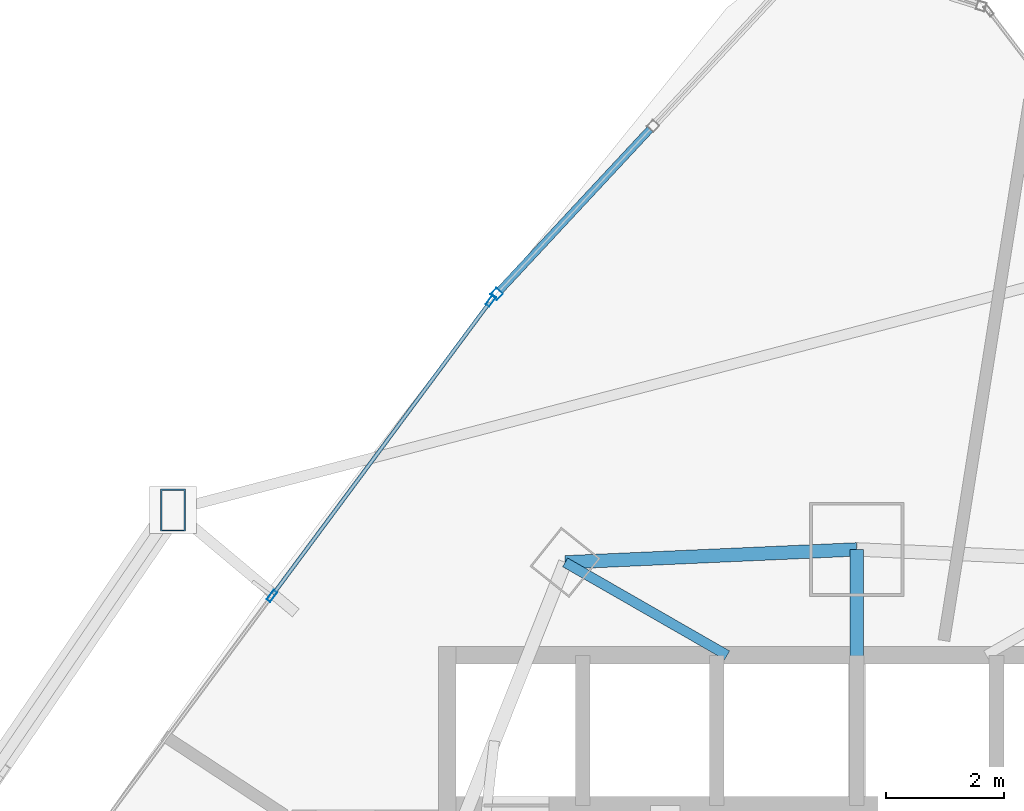
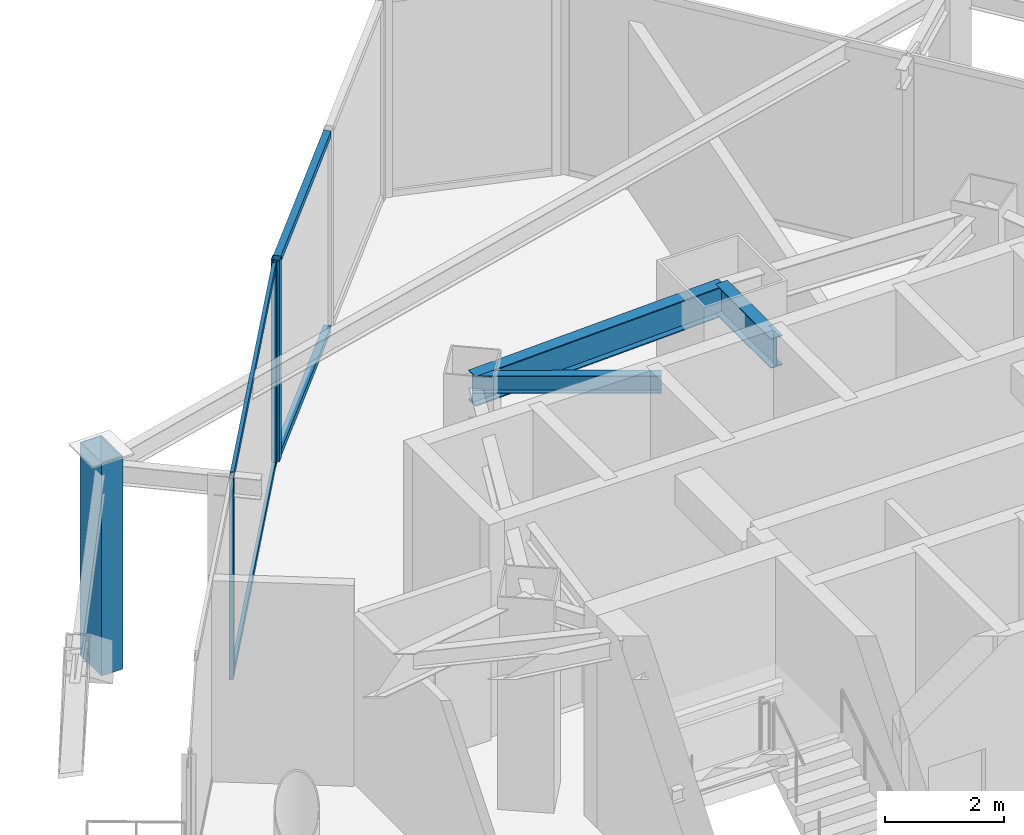
# One storey, part 21 of 33: 8 members, 3 beams, 2 elements without a shape of their own.
"""IFC4 building model written with IfcOpenShell, lengths in metres."""

from ifc_helpers import new_model, si_unit, direction, frame, origin, origin_2d, place, context, subcontext, project, spatial, hollow_rectangle, i_section, extrude, material, layer, layer_set, material_profile, profile_set, type_object, element, aggregate, save


model = new_model("IFC4")

# Units and contexts
model_context = context("Model", 3, precision=1e-05, world=origin(), true_north=direction((0.0, 1.0)))
body_context = subcontext(model_context, "Body", "Model", "MODEL_VIEW")
ifc_project = project(units=[si_unit("LENGTHUNIT", "METRE"), si_unit("AREAUNIT", "SQUARE_METRE"), si_unit("VOLUMEUNIT", "CUBIC_METRE"), si_unit("PLANEANGLEUNIT", "RADIAN"), si_unit("MASSUNIT", "GRAM", prefix="KILO")], contexts=[model_context])

# Site, building, storey
site_placement = place(None, origin())
site = spatial("IfcSite", under=ifc_project, at=site_placement, CompositionType="ELEMENT")
building_placement = place(site_placement, origin())
building = spatial("IfcBuilding", under=site, at=building_placement, Name="Orvanel Arch Residences", CompositionType="ELEMENT")
storey_placement = place(building_placement, frame((0.0, 0.0, 59.89990234375)))
storey = spatial("IfcBuildingStorey", under=building, at=storey_placement, Name="L16", CompositionType="ELEMENT", Elevation=59.89990234375)

# Beams
ifc_material_1 = material(Name="Structural steel AS/NZS 3679.1 Grade 300 (300 MPa)", Category="steel")
ifc_material_profile_1 = material_profile(ifc_material_1, i_section(OverallWidth=0.22900390625, OverallDepth=0.612060546875, WebThickness=0.011962890625, FlangeThickness=0.01953125, at=origin_2d()), Name="610UB125")
ifc_profile_set_1 = profile_set([ifc_material_profile_1], Name="Structural steel AS/NZS 3679.1 Grade 300 (300 MPa)")
beam_type_1 = type_object("IfcBeamType", Name="BG-610UB", PredefinedType="BEAM", material=ifc_profile_set_1)
beam_1_placement = place(storey_placement, frame((33.0, 39.550048828125, 3.80419921875), z_axis=(0.0, 1.0, 0.0), x_axis=(-1.0, 0.0, 0.0)))
element("IfcBeam", 1, at=beam_1_placement, inside=storey, type_object=beam_type_1, Name="L16 North Radial Girder", PredefinedType="BEAM", context=body_context, shape_type="SweptSolid", body=[
    extrude(i_section(OverallWidth=0.22900390625, OverallDepth=0.612060546875, WebThickness=0.011962890625, FlangeThickness=0.01953125, at=origin_2d()), origin(), (0.0, 0.0, 1.0), 1.847900390625),
])
ifc_material_profile_2 = material_profile(ifc_material_1, i_section(OverallWidth=0.1708984375, OverallDepth=0.35595703125, WebThickness=0.00732421875, FlangeThickness=0.011474609375, at=origin_2d()), Name="360UB50.7")
ifc_profile_set_2 = profile_set([ifc_material_profile_2], Name="Structural steel AS/NZS 3679.1 Grade 300 (300 MPa)")
beam_type_2 = type_object("IfcBeamType", Name="BJ-360UB", PredefinedType="JOIST", material=ifc_profile_set_2)
beam_2_placement = place(storey_placement, frame((30.800048828125, 39.60009765625, 3.93212890625), z_axis=(-0.86736513383, 0.497672306458, 0.0), x_axis=(-0.497672306458, -0.86736513383, 0.0)))
element("IfcBeam", 2, at=beam_2_placement, inside=storey, type_object=beam_type_2, Name="L16 MNW Wing Floor Joist", PredefinedType="JOIST", context=body_context, shape_type="SweptSolid", body=[
    extrude(i_section(OverallWidth=0.1708984375, OverallDepth=0.35595703125, WebThickness=0.00732421875, FlangeThickness=0.011474609375, at=origin_2d()), origin(), (0.0, 0.0, 1.0), 3.17041015625),
])

# Member
ifc_material_2 = material(Name="Structural steel AS/NZS 3678 Grade 350", Category="steel")
ifc_material_profile_3 = material_profile(ifc_material_2, hollow_rectangle(XDim=0.419921875, YDim=0.719970703125, WallThickness=0.02490234375, at=origin_2d()), Name="RHS720x420x25")
ifc_profile_set_3 = profile_set([ifc_material_profile_3], Name="Structural steel AS/NZS 3678 Grade 350")
member_type_1 = type_object("IfcMemberType", Name="CH-720RHS-EXT", PredefinedType="CHORD", material=ifc_profile_set_3)
member_1_placement = place(storey_placement, frame((21.39111328125, 42.06689453125, 0.0), z_axis=(0.0, 0.0, 1.0), x_axis=(1.0, 0.0, 0.0)))
element("IfcMember", 3, at=member_1_placement, inside=storey, type_object=member_type_1, Name="L16 Outer Perimeter Frame Post 01", PredefinedType="CHORD", context=body_context, shape_type="SweptSolid", body=[
    extrude(hollow_rectangle(XDim=0.419921875, YDim=0.719970703125, WallThickness=0.02490234375, at=origin_2d()), origin(), (0.0, 0.0, 1.0), 4.35009765625),
])

# Curtain wall, member
ifc_material_3 = material(Name="Bronze-anodised aluminium AA6063-T6", Category="aluminium")
ifc_layer_1 = layer(ifc_material_3, 0.18994140625)
ifc_layer_set_1 = layer_set([ifc_layer_1], Name="Bronze-anodised aluminium AA6063-T6")
curtain_wall_type_1 = type_object("IfcCurtainWallType", Name="CW5-CRN-SYS", PredefinedType="NOTDEFINED", material=ifc_layer_set_1)
curtain_wall_1_placement = place(storey_placement, origin())
curtain_wall_1 = element("IfcCurtainWall", 4, at=curtain_wall_1_placement, inside=storey, type_object=curtain_wall_type_1, Name="L16 CW5-CRN-SYS Unitised Curtain Wall", PredefinedType="NOTDEFINED")
ifc_material_profile_4 = material_profile(ifc_material_3, hollow_rectangle(XDim=0.14990234375, YDim=0.14990234375, WallThickness=0.0048828125, at=origin_2d()), Name="ALU150x150x5")
ifc_profile_set_4 = profile_set([ifc_material_profile_4], Name="Bronze-anodised aluminium AA6063-T6")
member_type_2 = type_object("IfcMemberType", Name="MUL-150x150", PredefinedType="MULLION", material=ifc_profile_set_4)
member_2_placement = place(storey_placement, frame((26.88818359375, 45.73583984375, 0.0), z_axis=(0.0, 0.0, 1.0), x_axis=(0.73171641002, -0.68160919544, 0.0)))
member_2 = element("IfcMember", 5, at=member_2_placement, type_object=member_type_2, Name="CW-S5 mullion 3", PredefinedType="MULLION", context=body_context, shape_type="SweptSolid", body=[
    extrude(hollow_rectangle(XDim=0.14990234375, YDim=0.14990234375, WallThickness=0.0048828125, at=origin_2d()), origin(), (0.0, 0.0, 1.0), 4.110107421875),
])

# Curtain wall, members
ifc_layer_2 = layer(ifc_material_3, 0.195068359375)
ifc_layer_set_2 = layer_set([ifc_layer_2], Name="Bronze-anodised aluminium AA6063-T6")
curtain_wall_type_2 = type_object("IfcCurtainWallType", Name="CW6-COM-SYS", PredefinedType="NOTDEFINED", material=ifc_layer_set_2)
curtain_wall_2_placement = place(storey_placement, origin())
curtain_wall_2 = element("IfcCurtainWall", 6, at=curtain_wall_2_placement, inside=storey, type_object=curtain_wall_type_2, Name="L16 CW6-COM-SYS Unitised Curtain Wall", PredefinedType="NOTDEFINED")
ifc_material_profile_5 = material_profile(ifc_material_3, hollow_rectangle(XDim=0.074951171875, YDim=0.199951171875, WallThickness=0.0048828125, at=origin_2d()), Name="ALU200x75x5")
ifc_profile_set_5 = profile_set([ifc_material_profile_5], Name="Bronze-anodised aluminium AA6063-T6")
member_type_3 = type_object("IfcMemberType", Name="MUL-200x75", PredefinedType="MULLION", material=ifc_profile_set_5)
member_3_placement = place(storey_placement, frame((26.78857421875, 45.619873046875, 0.0), z_axis=(0.0, 0.0, 1.0), x_axis=(0.803152114823, -0.595774017942, 0.0)))
member_3 = element("IfcMember", 7, at=member_3_placement, type_object=member_type_3, Name="CW-S6 mullion 1", PredefinedType="MULLION", context=body_context, shape_type="SweptSolid", body=[
    extrude(hollow_rectangle(XDim=0.074951171875, YDim=0.199951171875, WallThickness=0.0048828125, at=origin_2d()), origin(), (0.0, 0.0, 1.0), 4.110107421875),
])
member_4_placement = place(storey_placement, frame((23.070556640625, 40.607421875, 0.0), z_axis=(0.0, 0.0, 1.0), x_axis=(0.803152114823, -0.595774017942, 0.0)))
member_4 = element("IfcMember", 8, at=member_4_placement, type_object=member_type_3, Name="CW-S6 mullion 2", PredefinedType="MULLION", context=body_context, shape_type="SweptSolid", body=[
    extrude(hollow_rectangle(XDim=0.074951171875, YDim=0.199951171875, WallThickness=0.0048828125, at=origin_2d()), origin(), (0.0, 0.0, 1.0), 4.110107421875),
])

# Beam
ifc_material_profile_6 = material_profile(ifc_material_1, i_section(OverallWidth=0.22900390625, OverallDepth=0.612060546875, WebThickness=0.011962890625, FlangeThickness=0.01953125, at=origin_2d()), Name="610UB125")
ifc_profile_set_6 = profile_set([ifc_material_profile_6], Name="Structural steel AS/NZS 3679.1 Grade 300 (300 MPa)")
beam_type_3 = type_object("IfcBeamType", Name="SP-610UB", PredefinedType="SPANDREL", material=ifc_profile_set_6)
beam_3_placement = place(storey_placement, frame((33.0, 41.39794921875, 3.80419921875), z_axis=(-0.999014049296, -0.044395149614, 0.0), x_axis=(0.044395149614, -0.999014049296, 0.0)))
element("IfcBeam", 9, at=beam_3_placement, inside=storey, type_object=beam_type_3, Name="L16 Perimeter Spandrel Beam 17", PredefinedType="SPANDREL", context=body_context, shape_type="SweptSolid", body=[
    extrude(i_section(OverallWidth=0.22900390625, OverallDepth=0.612060546875, WebThickness=0.011962890625, FlangeThickness=0.01953125, at=origin_2d()), origin(), (0.0, 0.0, 1.0), 4.954833984375),
])

# Member
ifc_material_profile_7 = material_profile(ifc_material_3, hollow_rectangle(XDim=0.1298828125, YDim=0.1298828125, WallThickness=0.00439453125, at=origin_2d()), Name="ALU130x130x4.5")
ifc_profile_set_7 = profile_set([ifc_material_profile_7], Name="Bronze-anodised aluminium AA6063-T6")
member_type_4 = type_object("IfcMemberType", Name="TRN-130x130", PredefinedType="USERDEFINED", material=ifc_profile_set_7)
member_5_placement = place(storey_placement, frame((29.492919921875, 48.5322265625, 0.065185546875), z_axis=(-0.681607478598, -0.73171800929, 0.0), x_axis=(0.73171800929, -0.681607478598, 0.0)))
member_5 = element("IfcMember", 10, at=member_5_placement, type_object=member_type_4, Name="CW-S5 transom 2.1", ObjectType="TRANSOM", PredefinedType="USERDEFINED", context=body_context, shape_type="SweptSolid", body=[
    extrude(hollow_rectangle(XDim=0.1298828125, YDim=0.1298828125, WallThickness=0.00439453125, at=origin_2d()), origin(), (0.0, 0.0, 1.0), 3.74658203125),
])

member_6_placement = place(storey_placement, frame((29.492919921875, 48.5322265625, 4.045166015625), z_axis=(-0.681607478598, -0.73171800929, 0.0), x_axis=(0.73171800929, -0.681607478598, 0.0)))
member_6 = element("IfcMember", 11, at=member_6_placement, type_object=member_type_4, Name="CW-S5 transom 2.2", ObjectType="TRANSOM", PredefinedType="USERDEFINED", context=body_context, shape_type="SweptSolid", body=[
    extrude(hollow_rectangle(XDim=0.1298828125, YDim=0.1298828125, WallThickness=0.00439453125, at=origin_2d()), origin(), (0.0, 0.0, 1.0), 3.74658203125),
])

aggregate(curtain_wall_1, [member_2, member_5, member_6])

ifc_material_profile_8 = material_profile(ifc_material_3, hollow_rectangle(XDim=0.06494140625, YDim=0.14990234375, WallThickness=0.00390625, at=origin_2d()), Name="ALU150x65x4")
ifc_profile_set_8 = profile_set([ifc_material_profile_8], Name="Bronze-anodised aluminium AA6063-T6")
member_type_5 = type_object("IfcMemberType", Name="TRN-150x65", PredefinedType="USERDEFINED", material=ifc_profile_set_8)
member_7_placement = place(storey_placement, frame((26.766357421875, 45.58984375, 0.03271484375), z_axis=(-0.595785138352, -0.803143865643, 0.0), x_axis=(0.803143865643, -0.595785138352, 0.0)))
member_7 = element("IfcMember", 12, at=member_7_placement, type_object=member_type_5, Name="CW-S6 transom 1.1", ObjectType="TRANSOM", PredefinedType="USERDEFINED", context=body_context, shape_type="SweptSolid", body=[
    extrude(hollow_rectangle(XDim=0.06494140625, YDim=0.14990234375, WallThickness=0.00390625, at=origin_2d()), origin(), (0.0, 0.0, 1.0), 6.166015625),
])

member_8_placement = place(storey_placement, frame((26.766357421875, 45.58984375, 4.07763671875), z_axis=(-0.595785138352, -0.803143865643, 0.0), x_axis=(0.803143865643, -0.595785138352, 0.0)))
member_8 = element("IfcMember", 13, at=member_8_placement, type_object=member_type_5, Name="CW-S6 transom 1.2", ObjectType="TRANSOM", PredefinedType="USERDEFINED", context=body_context, shape_type="SweptSolid", body=[
    extrude(hollow_rectangle(XDim=0.06494140625, YDim=0.14990234375, WallThickness=0.00390625, at=origin_2d()), origin(), (0.0, 0.0, 1.0), 6.166015625),
])

aggregate(curtain_wall_2, [member_3, member_4, member_7, member_8])

save(model, "model.ifc")
